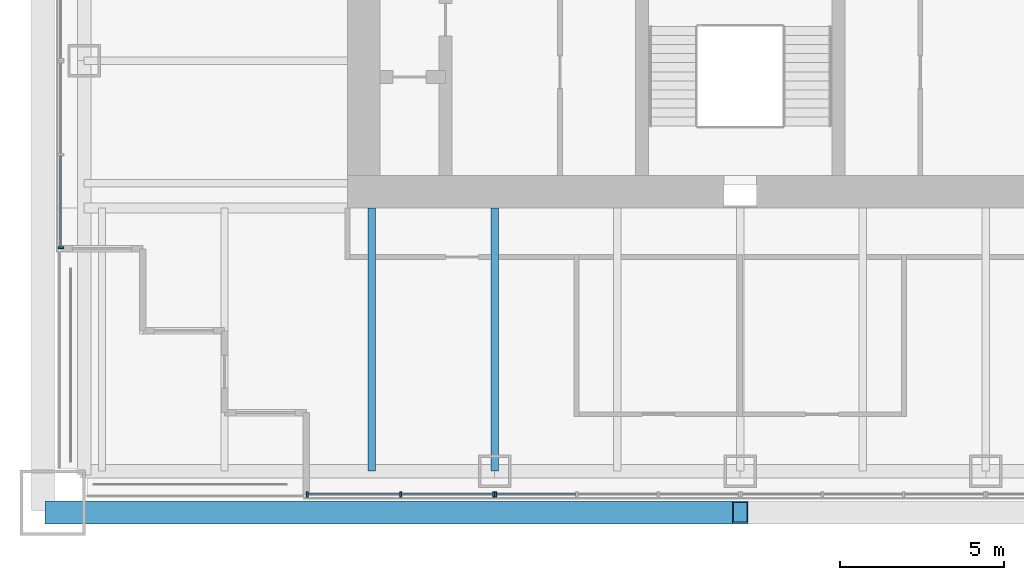
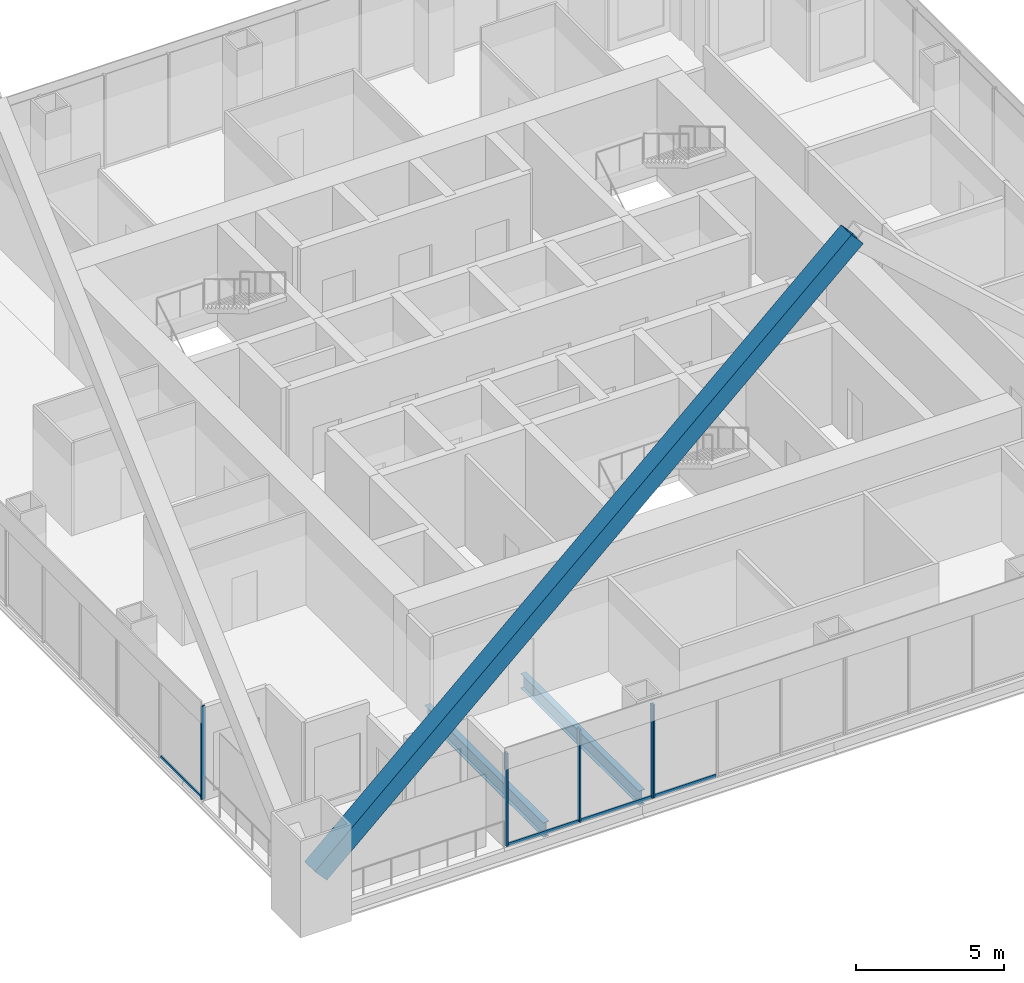
# One storey, part 2 of 18: 10 members, 2 beams, 3 elements without a shape of their own.
"""IFC4 building model written with IfcOpenShell, lengths in metres."""

from ifc_helpers import new_model, si_unit, direction, frame, origin, origin_2d, place, context, subcontext, project, spatial, rectangle, hollow_rectangle, i_section, extrude, material, material_profile, profile_set, type_object, element, aggregate, save


model = new_model("IFC4")

# Units and contexts
model_context = context("Model", 3, precision=1e-05, world=origin(), true_north=direction((0.0, 1.0)))
body_context = subcontext(model_context, "Body", "Model", "MODEL_VIEW")
ifc_project = project(units=[si_unit("LENGTHUNIT", "METRE"), si_unit("AREAUNIT", "SQUARE_METRE"), si_unit("VOLUMEUNIT", "CUBIC_METRE"), si_unit("PLANEANGLEUNIT", "RADIAN"), si_unit("MASSUNIT", "GRAM", prefix="KILO")], contexts=[model_context])

# Site, building, storey
site_placement = place(None, origin())
site = spatial("IfcSite", under=ifc_project, at=site_placement, CompositionType="ELEMENT")
building_placement = place(site_placement, origin())
building = spatial("IfcBuilding", under=site, at=building_placement, Name="Tarangal Relay Tower", CompositionType="ELEMENT")
storey_placement = place(building_placement, frame((0.0, 0.0, 295.89990234375)))
storey = spatial("IfcBuildingStorey", under=building, at=storey_placement, Name="L65", CompositionType="ELEMENT", Elevation=295.89990234375)

# Beams
ifc_material_1 = material(Name="Steel ASTM A992", Category="steel")
ifc_material_profile_1 = material_profile(ifc_material_1, i_section(OverallWidth=0.228271484375, OverallDepth=0.607177734375, WebThickness=0.01123046875, FlangeThickness=0.017333984375, at=origin_2d()), Name="W24X76")
ifc_profile_set_1 = profile_set([ifc_material_profile_1], Name="Steel ASTM A992")
beam_type = type_object("IfcBeamType", Name="Floor beam W24X76", PredefinedType="BEAM", material=ifc_profile_set_1)
for number, where, z_axis, x_axis, name in (
    (1, (-7.5, -12.0, -0.453369140625), (0.0, -1.0, 0.0), (1.0, 0.0, 0.0), "Floor beam RB5 S L65"),
    (2, (-11.25, -12.0, -0.453369140625), (0.0, -1.0, 0.0), (1.0, 0.0, 0.0), "Floor beam RB5 S L65"),
):
    element("IfcBeam", number, at=place(storey_placement, frame(where, z_axis=z_axis, x_axis=x_axis)), inside=storey, type_object=beam_type, Name=name, PredefinedType="BEAM", context=body_context, shape_type="SweptSolid", body=[
        extrude(i_section(OverallWidth=0.228271484375, OverallDepth=0.607177734375, WebThickness=0.01123046875, FlangeThickness=0.017333984375, at=origin_2d()), origin(), (0.0, 0.0, 1.0), 8.0400390625),
    ])

# Member
ifc_material_2 = material(Name="Steel ASTM A572 Grade 50", Category="steel")
ifc_material_profile_2 = material_profile(ifc_material_2, hollow_rectangle(XDim=0.699951171875, YDim=0.699951171875, WallThickness=0.052001953125, at=origin_2d()), Name="BOX700X700X52")
ifc_profile_set_2 = profile_set([ifc_material_profile_2], Name="Steel ASTM A572 Grade 50")
member_type_1 = type_object("IfcMemberType", Name="Mega brace BOX700X700X52", PredefinedType="BRACE", material=ifc_profile_set_2)
member_1_placement = place(storey_placement, frame((-21.0, -21.300048828125, 2.0), z_axis=(0.741535779124, 0.0, 0.670913323969), x_axis=(0.0, 1.0, 0.0)))
element("IfcMember", 3, at=member_1_placement, inside=storey, type_object=member_type_1, Name="Mega brace MB4 S face module 2", PredefinedType="BRACE", context=body_context, shape_type="SweptSolid", body=[
    extrude(hollow_rectangle(XDim=0.699951171875, YDim=0.699951171875, WallThickness=0.052001953125, at=origin_2d()), origin(), (0.0, 0.0, 1.0), 28.319580078125),
])

# Curtain wall, member
ifc_material_3 = material(Name="Unitised curtain wall, dark glass and black aluminium", Category="aluminium")
curtain_wall_type = type_object("IfcCurtainWallType", Name="Curtain wall CW-B", PredefinedType="USERDEFINED", material=ifc_material_3)
curtain_wall_1_placement = place(storey_placement, origin())
curtain_wall_1 = element("IfcCurtainWall", 4, at=curtain_wall_1_placement, inside=storey, type_object=curtain_wall_type, Name="Curtain wall CW-B S facade L65", ObjectType="UNITISED CURTAIN WALL", PredefinedType="USERDEFINED")
ifc_material_4 = material(Name="Black anodised aluminium mullion", Category="aluminium")
ifc_material_profile_3 = material_profile(ifc_material_4, rectangle(XDim=0.159912109375, YDim=0.06005859375, at=origin_2d()), Name="CW-BM 60X160")
ifc_profile_set_3 = profile_set([ifc_material_profile_3], Name="Black anodised aluminium mullion")
member_type_2 = type_object("IfcMemberType", Name="Mullion CW-B 60 x 160", PredefinedType="MULLION", material=ifc_profile_set_3)
member_2_placement = place(storey_placement, frame((-7.469970703125, -20.75, 0.0), z_axis=(0.0, 0.0, 1.0), x_axis=(0.0, -1.0, 0.0)))
member_2 = element("IfcMember", 5, at=member_2_placement, type_object=member_type_2, Name="CW-B mullion 4", PredefinedType="MULLION", context=body_context, shape_type="SweptSolid", body=[
    extrude(rectangle(XDim=0.159912109375, YDim=0.06005859375, at=origin_2d()), origin(), (0.0, 0.0, 1.0), 3.85009765625),
])

# Curtain wall, members
curtain_wall_2_placement = place(storey_placement, origin())
curtain_wall_2 = element("IfcCurtainWall", 6, at=curtain_wall_2_placement, inside=storey, type_object=curtain_wall_type, Name="Curtain wall CW-B S facade L65", ObjectType="UNITISED CURTAIN WALL", PredefinedType="USERDEFINED")
member_3_placement = place(storey_placement, frame((-7.530029296875, -20.75, 0.0), z_axis=(0.0, 0.0, 1.0), x_axis=(0.0, -1.0, 0.0)))
member_3 = element("IfcMember", 7, at=member_3_placement, type_object=member_type_2, Name="CW-B mullion 1", PredefinedType="MULLION", context=body_context, shape_type="SweptSolid", body=[
    extrude(rectangle(XDim=0.159912109375, YDim=0.06005859375, at=origin_2d()), origin(), (0.0, 0.0, 1.0), 3.85009765625),
])
member_4_placement = place(storey_placement, frame((-10.375, -20.75, 0.0), z_axis=(0.0, 0.0, 1.0), x_axis=(0.0, -1.0, 0.0)))
member_4 = element("IfcMember", 8, at=member_4_placement, type_object=member_type_2, Name="CW-B mullion 2", PredefinedType="MULLION", context=body_context, shape_type="SweptSolid", body=[
    extrude(rectangle(XDim=0.159912109375, YDim=0.06005859375, at=origin_2d()), origin(), (0.0, 0.0, 1.0), 3.85009765625),
])
member_5_placement = place(storey_placement, frame((-13.219970703125, -20.75, 0.0), z_axis=(0.0, 0.0, 1.0), x_axis=(0.0, -1.0, 0.0)))
member_5 = element("IfcMember", 9, at=member_5_placement, type_object=member_type_2, Name="CW-B mullion 3", PredefinedType="MULLION", context=body_context, shape_type="SweptSolid", body=[
    extrude(rectangle(XDim=0.159912109375, YDim=0.06005859375, at=origin_2d()), origin(), (0.0, 0.0, 1.0), 3.85009765625),
])

# Curtain wall, member
curtain_wall_3_placement = place(storey_placement, origin())
curtain_wall_3 = element("IfcCurtainWall", 10, at=curtain_wall_3_placement, inside=storey, type_object=curtain_wall_type, Name="Curtain wall CW-B W facade L65", ObjectType="UNITISED CURTAIN WALL", PredefinedType="USERDEFINED")
member_6_placement = place(storey_placement, frame((-20.75, -13.219970703125, 0.0), z_axis=(0.0, 0.0, 1.0), x_axis=(-1.0, 0.0, 0.0)))
member_6 = element("IfcMember", 11, at=member_6_placement, type_object=member_type_2, Name="CW-B mullion 1", PredefinedType="MULLION", context=body_context, shape_type="SweptSolid", body=[
    extrude(rectangle(XDim=0.159912109375, YDim=0.06005859375, at=origin_2d()), origin(), (0.0, 0.0, 1.0), 3.85009765625),
])

# Member
ifc_material_5 = material(Name="Black anodised aluminium transom", Category="aluminium")
ifc_material_profile_4 = material_profile(ifc_material_5, rectangle(XDim=0.06005859375, YDim=0.1298828125, at=origin_2d()), Name="CW-BT 60X130")
ifc_profile_set_4 = profile_set([ifc_material_profile_4], Name="Black anodised aluminium transom")
member_type_3 = type_object("IfcMemberType", Name="Transom CW-B 60 x 130", PredefinedType="USERDEFINED", material=ifc_profile_set_4)
member_7_placement = place(storey_placement, frame((-5.030029296875, -20.75, 0.030029296875), z_axis=(-1.0, 0.0, 0.0), x_axis=(0.0, -1.0, 0.0)))
member_7 = element("IfcMember", 12, at=member_7_placement, type_object=member_type_3, Name="CW-B transom 3.1", ObjectType="TRANSOM", PredefinedType="USERDEFINED", context=body_context, shape_type="SweptSolid", body=[
    extrude(rectangle(XDim=0.06005859375, YDim=0.1298828125, at=origin_2d()), origin(), (0.0, 0.0, 1.0), 2.409912109375),
])

aggregate(curtain_wall_1, [member_2, member_7])

member_8_placement = place(storey_placement, frame((-7.56005859375, -20.75, 0.030029296875), z_axis=(-1.0, 0.0, 0.0), x_axis=(0.0, -1.0, 0.0)))
member_8 = element("IfcMember", 13, at=member_8_placement, type_object=member_type_3, Name="CW-B transom 1.1", ObjectType="TRANSOM", PredefinedType="USERDEFINED", context=body_context, shape_type="SweptSolid", body=[
    extrude(rectangle(XDim=0.06005859375, YDim=0.1298828125, at=origin_2d()), origin(), (0.0, 0.0, 1.0), 2.784912109375),
])

member_9_placement = place(storey_placement, frame((-10.405029296875, -20.75, 0.030029296875), z_axis=(-1.0, 0.0, 0.0), x_axis=(0.0, -1.0, 0.0)))
member_9 = element("IfcMember", 14, at=member_9_placement, type_object=member_type_3, Name="CW-B transom 2.1", ObjectType="TRANSOM", PredefinedType="USERDEFINED", context=body_context, shape_type="SweptSolid", body=[
    extrude(rectangle(XDim=0.06005859375, YDim=0.1298828125, at=origin_2d()), origin(), (0.0, 0.0, 1.0), 2.784912109375),
])

aggregate(curtain_wall_2, [member_3, member_4, member_5, member_8, member_9])

member_10_placement = place(storey_placement, frame((-20.75, -13.18994140625, 0.030029296875), z_axis=(0.0, 1.0, 0.0), x_axis=(-1.0, 0.0, 0.0)))
member_10 = element("IfcMember", 15, at=member_10_placement, type_object=member_type_3, Name="CW-B transom 1.1", ObjectType="TRANSOM", PredefinedType="USERDEFINED", context=body_context, shape_type="SweptSolid", body=[
    extrude(rectangle(XDim=0.06005859375, YDim=0.1298828125, at=origin_2d()), origin(), (0.0, 0.0, 1.0), 2.784912109375),
])

aggregate(curtain_wall_3, [member_6, member_10])

save(model, "model.ifc")
